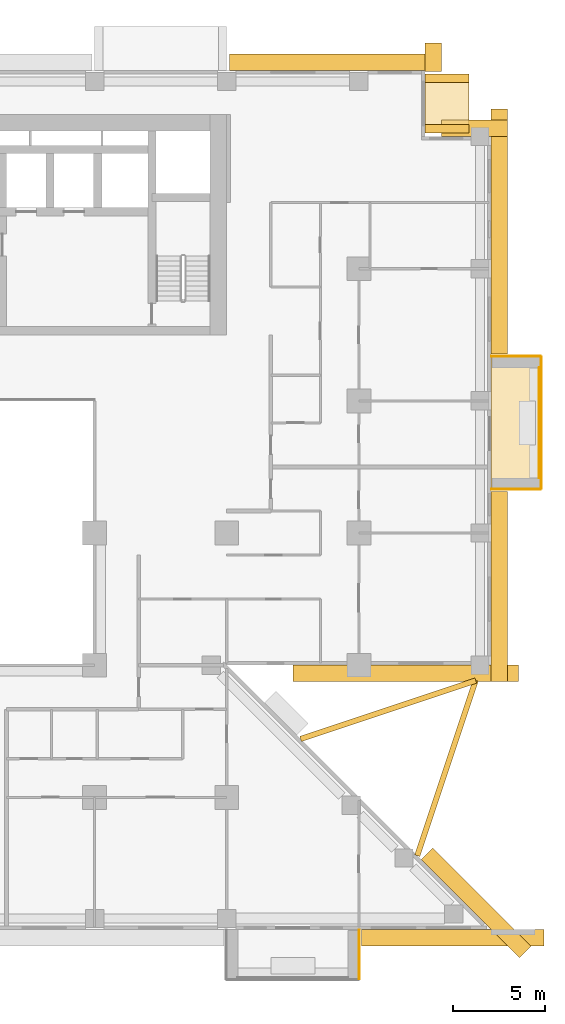
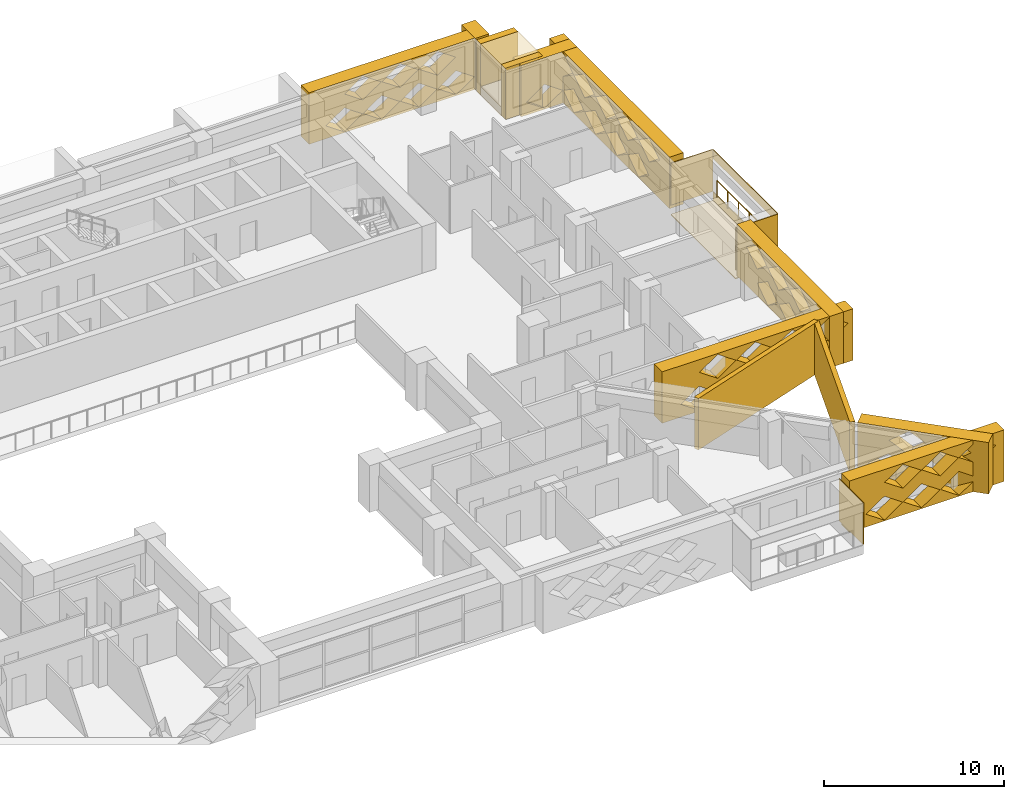
# One storey, part 16 of 16: 20 coverings, 1 railing.
"""IFC4 building model written with IfcOpenShell, lengths in metres."""

from ifc_helpers import new_model, si_unit, direction, frame, origin, origin_2d, place, context, subcontext, project, spatial, polyline, circle, outline, extrude, material, layer, layer_set, type_object, element, save


model = new_model("IFC4")

# Units and contexts
model_context = context("Model", 3, precision=1e-05, world=origin(), true_north=direction((0.0, 1.0)))
body_context = subcontext(model_context, "Body", "Model", "MODEL_VIEW")
ifc_project = project(units=[si_unit("LENGTHUNIT", "METRE"), si_unit("AREAUNIT", "SQUARE_METRE"), si_unit("VOLUMEUNIT", "CUBIC_METRE"), si_unit("PLANEANGLEUNIT", "RADIAN"), si_unit("MASSUNIT", "GRAM", prefix="KILO")], contexts=[model_context])

# Site, building, storey
site_placement = place(None, origin())
site = spatial("IfcSite", under=ifc_project, at=site_placement, CompositionType="ELEMENT")
building_placement = place(site_placement, origin())
building = spatial("IfcBuilding", under=site, at=building_placement, Name="Saffron Iwan Residences", CompositionType="ELEMENT")
storey_placement = place(building_placement, frame((0.0, 0.0, 83.0)))
storey = spatial("IfcBuildingStorey", under=building, at=storey_placement, Name="L21", CompositionType="ELEMENT", Elevation=83.0)

# Railing
ifc_material_1 = material(Name="Stainless steel 316", Category="steel")
railing_type = type_object("IfcRailingType", Name="BALCONY GUARD 1150", PredefinedType="GUARDRAIL", material=ifc_material_1)
railing_placement = place(storey_placement, frame((89.02490234375, 58.199951171875, 0.0)))
element("IfcRailing", 1, at=railing_placement, inside=storey, type_object=railing_type, Name="Balcony guard L21 F2-0", PredefinedType="GUARDRAIL", context=body_context, shape_type="SweptSolid", body=[
    extrude(circle(Radius=0.02392578125, at=origin_2d()), frame((0.0, 0.0, 1.1259765625), z_axis=(0.0, 1.0, 0.0), x_axis=(-1.0, 0.0, 0.0)), (0.0, 0.0, 1.0), 6.0),
    extrude(circle(Radius=0.02099609375, at=origin_2d()), origin(), (0.0, 0.0, 1.0), 1.101806640625),
    extrude(circle(Radius=0.02099609375, at=origin_2d()), frame((0.0, 1.199951171875, 0.0)), (0.0, 0.0, 1.0), 1.101806640625),
    extrude(circle(Radius=0.02099609375, at=origin_2d()), frame((0.0, 2.39990234375, 0.0)), (0.0, 0.0, 1.0), 1.101806640625),
    extrude(circle(Radius=0.02099609375, at=origin_2d()), frame((0.0, 3.60009765625, 0.0)), (0.0, 0.0, 1.0), 1.101806640625),
    extrude(circle(Radius=0.02099609375, at=origin_2d()), frame((0.0, 4.800048828125, 0.0)), (0.0, 0.0, 1.0), 1.101806640625),
    extrude(circle(Radius=0.02099609375, at=origin_2d()), frame((0.0, 6.0, 0.0)), (0.0, 0.0, 1.0), 1.101806640625),
])

# Coverings
ifc_material_2 = material(Name="Precast concrete C40/50 white painted", Category="concrete")
ifc_layer_1 = layer(ifc_material_2, 0.050048828125)
ifc_layer_set_1 = layer_set([ifc_layer_1], Name="Precast concrete C40/50 white painted")
covering_type_1 = type_object("IfcCoveringType", Name="FRAME SKIN PRECAST WHITE 50", PredefinedType="CLADDING", material=ifc_layer_set_1)
for number, where, name in (
    (2, (0.0, 0.0, -0.60009765625), "Frame skin slab edge L21 F2-0"),
    (3, (0.0, 0.0, 2.25), "Frame skin fascia L21 F2-0"),
):
    element("IfcCovering", number, at=place(storey_placement, frame(where)), inside=storey, type_object=covering_type_1, Name=name, PredefinedType="CLADDING", context=body_context, shape_type="SweptSolid", body=[
        extrude(outline(polyline([(89.14990234375, 57.60009765625), (89.14990234375, 64.800048828125), (89.10009765625, 64.800048828125), (89.10009765625, 57.60009765625), (89.14990234375, 57.60009765625)])), origin(), (0.0, 0.0, 1.0), 0.60009765625),
    ])
covering_1_placement = place(storey_placement, frame((0.0, 0.0, -0.64990234375)))
element("IfcCovering", 4, at=covering_1_placement, inside=storey, type_object=covering_type_1, Name="Frame skin soffit L21 F2-0", PredefinedType="CLADDING", context=body_context, shape_type="SweptSolid", body=[
    extrude(outline(polyline([(89.10009765625, 57.60009765625), (89.10009765625, 64.800048828125), (86.39990234375, 64.800048828125), (86.39990234375, 57.60009765625), (89.10009765625, 57.60009765625)])), origin(), (0.0, 0.0, 1.0), 0.0498046875),
])
covering_2_placement = place(storey_placement, origin())
element("IfcCovering", 5, at=covering_2_placement, inside=storey, type_object=covering_type_1, Name="Frame skin fin L21 F2-0a", PredefinedType="CLADDING", context=body_context, shape_type="SweptSolid", body=[
    extrude(outline(polyline([(89.10009765625, 57.550048828125), (89.10009765625, 57.60009765625), (86.39990234375, 57.60009765625), (86.39990234375, 57.550048828125), (89.10009765625, 57.550048828125)])), origin(), (0.0, 0.0, 1.0), 2.85009765625),
])
covering_3_placement = place(storey_placement, origin())
element("IfcCovering", 6, at=covering_3_placement, inside=storey, type_object=covering_type_1, Name="Frame skin fin L21 F2-0b", PredefinedType="CLADDING", context=body_context, shape_type="SweptSolid", body=[
    extrude(outline(polyline([(89.10009765625, 64.800048828125), (89.10009765625, 64.85009765625), (86.39990234375, 64.85009765625), (86.39990234375, 64.800048828125), (89.10009765625, 64.800048828125)])), origin(), (0.0, 0.0, 1.0), 2.85009765625),
])
covering_4_placement = place(storey_placement, origin())
element("IfcCovering", 7, at=covering_4_placement, inside=storey, type_object=covering_type_1, Name="Frame skin fin L21 11-1b", PredefinedType="CLADDING", context=body_context, shape_type="SweptSolid", body=[
    extrude(outline(polyline([(79.199951171875, 30.89990234375), (79.25, 30.89990234375), (79.25, 33.60009765625), (79.199951171875, 33.60009765625), (79.199951171875, 30.89990234375)])), origin(), (0.0, 0.0, 1.0), 2.85009765625),
])
ifc_material_3 = material(Name="Precast concrete C40/50", Category="concrete")
covering_type_2 = type_object("IfcCoveringType", Name="OUTER SKIN LATTICE SCREEN", PredefinedType="CLADDING", material=ifc_material_3)
covering_5_placement = place(storey_placement, frame((87.939453125, 32.060546875, -0.320068359375), z_axis=(0.706971125213, 0.70724241114, 0.0), x_axis=(-0.70724241114, 0.706971125213, 0.0)))
element("IfcCovering", 8, at=covering_5_placement, inside=storey, type_object=covering_type_2, Name="OUTER SKIN lattice screen L21 F0.0", PredefinedType="CLADDING", context=body_context, shape_type="SweptSolid", body=[
    extrude(outline(polyline([(0.0, 0.0), (7.559326171875, 0.0), (7.559326171875, 3.5), (0.0, 3.5), (0.0, 0.0)]), holes=[polyline([(2.197021484375, 0.875), (3.377197265625, 0.06005859375), (4.55712890625, 0.875), (3.377197265625, 1.68994140625), (2.197021484375, 0.875)]), polyline([(4.59716796875, 0.875), (5.777099609375, 0.06005859375), (6.95703125, 0.875), (5.777099609375, 1.68994140625), (4.59716796875, 0.875)]), polyline([(0.9970703125, 2.625), (2.177001953125, 1.81005859375), (3.357177734375, 2.625), (2.177001953125, 3.43994140625), (0.9970703125, 2.625)]), polyline([(3.397216796875, 2.625), (4.5771484375, 1.81005859375), (5.757080078125, 2.625), (4.5771484375, 3.43994140625), (3.397216796875, 2.625)])]), origin(), (0.0, 0.0, 1.0), 0.89990234375),
])
covering_6_placement = place(storey_placement, frame((75.6171875, 48.0, -0.320068359375), z_axis=(0.0, -1.0, 0.0), x_axis=(1.0, 0.0, 0.0)))
element("IfcCovering", 9, at=covering_6_placement, inside=storey, type_object=covering_type_2, Name="OUTER SKIN lattice screen L21 F1.0", PredefinedType="CLADDING", context=body_context, shape_type="SweptSolid", body=[
    extrude(outline(polyline([(0.0, 0.0), (12.282958984375, 0.0), (12.282958984375, 3.5), (0.0, 3.5), (0.0, 0.0)]), holes=[polyline([(1.202880859375, 0.875), (2.3828125, 0.06005859375), (3.56298828125, 0.875), (2.3828125, 1.68994140625), (1.202880859375, 0.875)]), polyline([(3.602783203125, 0.875), (4.782958984375, 0.06005859375), (5.962890625, 0.875), (4.782958984375, 1.68994140625), (3.602783203125, 0.875)]), polyline([(6.0029296875, 0.875), (7.182861328125, 0.06005859375), (8.36279296875, 0.875), (7.182861328125, 1.68994140625), (6.0029296875, 0.875)]), polyline([(8.40283203125, 0.875), (9.5830078125, 0.06005859375), (10.762939453125, 0.875), (9.5830078125, 1.68994140625), (8.40283203125, 0.875)]), polyline([(2.40283203125, 2.625), (3.5830078125, 1.81005859375), (4.762939453125, 2.625), (3.5830078125, 3.43994140625), (2.40283203125, 2.625)]), polyline([(4.802978515625, 2.625), (5.98291015625, 1.81005859375), (7.162841796875, 2.625), (5.98291015625, 3.43994140625), (4.802978515625, 2.625)]), polyline([(7.202880859375, 2.625), (8.3828125, 1.81005859375), (9.56298828125, 2.625), (8.3828125, 3.43994140625), (7.202880859375, 2.625)]), polyline([(9.602783203125, 2.625), (10.782958984375, 1.81005859375), (11.962890625, 2.625), (10.782958984375, 3.43994140625), (9.602783203125, 2.625)])]), origin(), (0.0, 0.0, 1.0), 0.89990234375),
])
covering_7_placement = place(storey_placement, frame((86.39990234375, 47.10009765625, -0.320068359375), z_axis=(1.0, 0.0, 0.0), x_axis=(0.0, 1.0, 0.0)))
element("IfcCovering", 10, at=covering_7_placement, inside=storey, type_object=covering_type_2, Name="OUTER SKIN lattice screen L21 F2.0", PredefinedType="CLADDING", context=body_context, shape_type="SweptSolid", body=[
    extrude(outline(polyline([(0.0, 0.0), (10.35009765625, 0.0), (10.35009765625, 3.5), (0.0, 3.5), (0.0, 0.0)]), holes=[polyline([(0.919921875, 0.875), (2.10009765625, 0.06005859375), (3.280029296875, 0.875), (2.10009765625, 1.68994140625), (0.919921875, 0.875)]), polyline([(3.320068359375, 0.875), (4.5, 0.06005859375), (5.679931640625, 0.875), (4.5, 1.68994140625), (3.320068359375, 0.875)]), polyline([(5.719970703125, 0.875), (6.89990234375, 0.06005859375), (8.080078125, 0.875), (6.89990234375, 1.68994140625), (5.719970703125, 0.875)]), polyline([(2.1201171875, 2.625), (3.300048828125, 1.81005859375), (4.47998046875, 2.625), (3.300048828125, 3.43994140625), (2.1201171875, 2.625)]), polyline([(4.52001953125, 2.625), (5.699951171875, 1.81005859375), (6.8798828125, 2.625), (5.699951171875, 3.43994140625), (4.52001953125, 2.625)]), polyline([(6.919921875, 2.625), (8.10009765625, 1.81005859375), (9.280029296875, 2.625), (8.10009765625, 3.43994140625), (6.919921875, 2.625)])]), origin(), (0.0, 0.0, 1.0), 0.900146484375),
])
covering_8_placement = place(storey_placement, frame((86.39990234375, 64.949951171875, -0.320068359375), z_axis=(1.0, 0.0, 0.0), x_axis=(0.0, 1.0, 0.0)))
element("IfcCovering", 11, at=covering_8_placement, inside=storey, type_object=covering_type_2, Name="OUTER SKIN lattice screen L21 F2.1", PredefinedType="CLADDING", context=body_context, shape_type="SweptSolid", body=[
    extrude(outline(polyline([(0.0, 0.0), (13.35009765625, 0.0), (13.35009765625, 3.5), (0.0, 3.5), (0.0, 0.0)]), holes=[polyline([(2.27001953125, 0.875), (3.449951171875, 0.06005859375), (4.6298828125, 0.875), (3.449951171875, 1.68994140625), (2.27001953125, 0.875)]), polyline([(4.669921875, 0.875), (5.85009765625, 0.06005859375), (7.030029296875, 0.875), (5.85009765625, 1.68994140625), (4.669921875, 0.875)]), polyline([(7.070068359375, 0.875), (8.25, 0.06005859375), (9.429931640625, 0.875), (8.25, 1.68994140625), (7.070068359375, 0.875)]), polyline([(9.469970703125, 0.875), (10.64990234375, 0.06005859375), (11.830078125, 0.875), (10.64990234375, 1.68994140625), (9.469970703125, 0.875)]), polyline([(1.070068359375, 2.625), (2.25, 1.81005859375), (3.429931640625, 2.625), (2.25, 3.43994140625), (1.070068359375, 2.625)]), polyline([(3.469970703125, 2.625), (4.64990234375, 1.81005859375), (5.830078125, 2.625), (4.64990234375, 3.43994140625), (3.469970703125, 2.625)]), polyline([(5.8701171875, 2.625), (7.050048828125, 1.81005859375), (8.22998046875, 2.625), (7.050048828125, 3.43994140625), (5.8701171875, 2.625)]), polyline([(8.27001953125, 2.625), (9.449951171875, 1.81005859375), (10.6298828125, 2.625), (9.449951171875, 3.43994140625), (8.27001953125, 2.625)]), polyline([(10.669921875, 2.625), (11.85009765625, 1.81005859375), (13.030029296875, 2.625), (11.85009765625, 3.43994140625), (10.669921875, 2.625)])]), origin(), (0.0, 0.0, 1.0), 0.900146484375),
])
covering_9_placement = place(storey_placement, frame((87.300048828125, 76.800048828125, -0.320068359375), z_axis=(0.0, 1.0, 0.0), x_axis=(-1.0, 0.0, 0.0)))
element("IfcCovering", 12, at=covering_9_placement, inside=storey, type_object=covering_type_2, Name="OUTER SKIN lattice screen L21 F3.0", PredefinedType="CLADDING", context=body_context, shape_type="SweptSolid", body=[
    extrude(outline(polyline([(0.0, 0.0), (3.60009765625, 0.0), (3.60009765625, 3.5), (0.0, 3.5), (0.0, 0.0)]), holes=[polyline([(0.919921875, 0.875), (2.10009765625, 0.06005859375), (3.280029296875, 0.875), (2.10009765625, 1.68994140625), (0.919921875, 0.875)])]), origin(), (0.0, 0.0, 1.0), 0.89990234375),
])
covering_10_placement = place(storey_placement, frame((82.800048828125, 80.35009765625, -0.320068359375), z_axis=(1.0, 0.0, 0.0), x_axis=(0.0, 1.0, 0.0)))
element("IfcCovering", 13, at=covering_10_placement, inside=storey, type_object=covering_type_2, Name="OUTER SKIN lattice screen L21 F4.0", PredefinedType="CLADDING", context=body_context, shape_type="SweptSolid", body=[
    extrude(outline(polyline([(0.0, 0.0), (1.550048828125, 0.0), (1.550048828125, 3.5), (0.0, 3.5), (0.0, 0.0)])), origin(), (0.0, 0.0, 1.0), 0.89990234375),
])
covering_11_placement = place(storey_placement, frame((83.699951171875, 80.39990234375, -0.320068359375), z_axis=(0.0, 1.0, 0.0), x_axis=(-1.0, 0.0, 0.0)))
element("IfcCovering", 14, at=covering_11_placement, inside=storey, type_object=covering_type_2, Name="OUTER SKIN lattice screen L21 F5.0", PredefinedType="CLADDING", context=body_context, shape_type="SweptSolid", body=[
    extrude(outline(polyline([(0.0, 0.0), (11.550048828125, 0.0), (11.550048828125, 3.5), (0.0, 3.5), (0.0, 0.0)]), holes=[polyline([(0.919921875, 0.875), (2.10009765625, 0.06005859375), (3.280029296875, 0.875), (2.10009765625, 1.68994140625), (0.919921875, 0.875)]), polyline([(3.320068359375, 0.875), (4.5, 0.06005859375), (5.679931640625, 0.875), (4.5, 1.68994140625), (3.320068359375, 0.875)]), polyline([(5.719970703125, 0.875), (6.89990234375, 0.06005859375), (8.080078125, 0.875), (6.89990234375, 1.68994140625), (5.719970703125, 0.875)]), polyline([(8.1201171875, 0.875), (9.300048828125, 0.06005859375), (10.47998046875, 0.875), (9.300048828125, 1.68994140625), (8.1201171875, 0.875)]), polyline([(2.1201171875, 2.625), (3.300048828125, 1.81005859375), (4.47998046875, 2.625), (3.300048828125, 3.43994140625), (2.1201171875, 2.625)]), polyline([(4.52001953125, 2.625), (5.699951171875, 1.81005859375), (6.8798828125, 2.625), (5.699951171875, 3.43994140625), (4.52001953125, 2.625)]), polyline([(6.919921875, 2.625), (8.10009765625, 1.81005859375), (9.280029296875, 2.625), (8.10009765625, 3.43994140625), (6.919921875, 2.625)])]), origin(), (0.0, 0.0, 1.0), 0.900146484375),
])
covering_12_placement = place(storey_placement, frame((79.35009765625, 33.60009765625, -0.320068359375), z_axis=(0.0, -1.0, 0.0), x_axis=(1.0, 0.0, 0.0)))
element("IfcCovering", 15, at=covering_12_placement, inside=storey, type_object=covering_type_2, Name="OUTER SKIN lattice screen L21 F11.3", PredefinedType="CLADDING", context=body_context, shape_type="SweptSolid", body=[
    extrude(outline(polyline([(0.0, 0.0), (9.947021484375, 0.0), (9.947021484375, 3.5), (0.0, 3.5), (0.0, 0.0)]), holes=[polyline([(1.070068359375, 0.875), (2.25, 0.06005859375), (3.429931640625, 0.875), (2.25, 1.68994140625), (1.070068359375, 0.875)]), polyline([(3.469970703125, 0.875), (4.64990234375, 0.06005859375), (5.830078125, 0.875), (4.64990234375, 1.68994140625), (3.469970703125, 0.875)]), polyline([(5.8701171875, 0.875), (7.050048828125, 0.06005859375), (8.22998046875, 0.875), (7.050048828125, 1.68994140625), (5.8701171875, 0.875)]), polyline([(2.27001953125, 2.625), (3.449951171875, 1.81005859375), (4.6298828125, 2.625), (3.449951171875, 3.43994140625), (2.27001953125, 2.625)]), polyline([(4.669921875, 2.625), (5.85009765625, 1.81005859375), (7.030029296875, 2.625), (5.85009765625, 3.43994140625), (4.669921875, 2.625)]), polyline([(7.070068359375, 2.625), (8.25, 1.81005859375), (9.429931640625, 2.625), (8.25, 3.43994140625), (7.070068359375, 2.625)])]), origin(), (0.0, 0.0, 1.0), 0.900146484375),
])
ifc_layer_2 = layer(ifc_material_2, 0.300048828125)
ifc_layer_set_2 = layer_set([ifc_layer_2], Name="Precast concrete C40/50 white painted")
covering_type_3 = type_object("IfcCoveringType", Name="PROW NOSE BLADE PRECAST WHITE", PredefinedType="CLADDING", material=ifc_layer_set_2)
covering_13_placement = place(storey_placement, frame((0.0, 0.0, -0.320068359375)))
element("IfcCovering", 16, at=covering_13_placement, inside=storey, type_object=covering_type_3, Name="Prow nose blade L21 a", PredefinedType="CLADDING", context=body_context, shape_type="SweptSolid", body=[
    extrude(outline(polyline([(82.5244140625, 37.570556640625), (85.706298828125, 47.116455078125), (85.421630859375, 47.21142578125), (82.23974609375, 37.66552734375), (82.5244140625, 37.570556640625)])), origin(), (0.0, 0.0, 1.0), 3.5),
])
covering_14_placement = place(storey_placement, frame((0.0, 0.0, -0.320068359375)))
element("IfcCovering", 17, at=covering_14_placement, inside=storey, type_object=covering_type_3, Name="Prow nose blade L21 b", PredefinedType="CLADDING", context=body_context, shape_type="SweptSolid", body=[
    extrude(outline(polyline([(76.0654296875, 43.839599609375), (85.611328125, 47.021728515625), (85.5166015625, 47.306396484375), (75.970703125, 44.124267578125), (76.0654296875, 43.839599609375)])), origin(), (0.0, 0.0, 1.0), 3.5),
])
covering_type_4 = type_object("IfcCoveringType", Name="WHITE SUN FRAME PRECAST", PredefinedType="CLADDING", material=ifc_material_2)
for number, where, z_axis, x_axis, name in (
    (18, (82.800048828125, 77.0, -0.320068359375), (1.0, 0.0, 0.0), (0.0, 1.0, 0.0), "Sun frame L21 F4 0.2a"),
    (19, (82.800048828125, 79.75, -0.320068359375), (1.0, 0.0, 0.0), (0.0, 1.0, 0.0), "Sun frame L21 F4 0.2b"),
):
    element("IfcCovering", number, at=place(storey_placement, frame(where, z_axis=z_axis, x_axis=x_axis)), inside=storey, type_object=covering_type_4, Name=name, PredefinedType="CLADDING", context=body_context, shape_type="SweptSolid", body=[
        extrude(outline(polyline([(0.0, 0.0), (0.449951171875, 0.0), (0.449951171875, 3.5), (0.0, 3.5), (0.0, 0.0)])), origin(), (0.0, 0.0, 1.0), 2.39990234375),
    ])
for number, where, z_axis, x_axis, name in (
    (20, (82.800048828125, 77.449951171875, 2.580078125), (1.0, 0.0, 0.0), (0.0, 1.0, 0.0), "Sun frame L21 F4 0.2h"),
    (21, (82.800048828125, 77.449951171875, -0.320068359375), (1.0, 0.0, 0.0), (0.0, 1.0, 0.0), "Sun frame L21 F4 0.2s"),
):
    element("IfcCovering", number, at=place(storey_placement, frame(where, z_axis=z_axis, x_axis=x_axis)), inside=storey, type_object=covering_type_4, Name=name, PredefinedType="CLADDING", context=body_context, shape_type="SweptSolid", body=[
        extrude(outline(polyline([(0.0, 0.0), (2.300048828125, 0.0), (2.300048828125, 0.60009765625), (0.0, 0.60009765625), (0.0, 0.0)])), origin(), (0.0, 0.0, 1.0), 2.39990234375),
    ])

save(model, "model.ifc")
